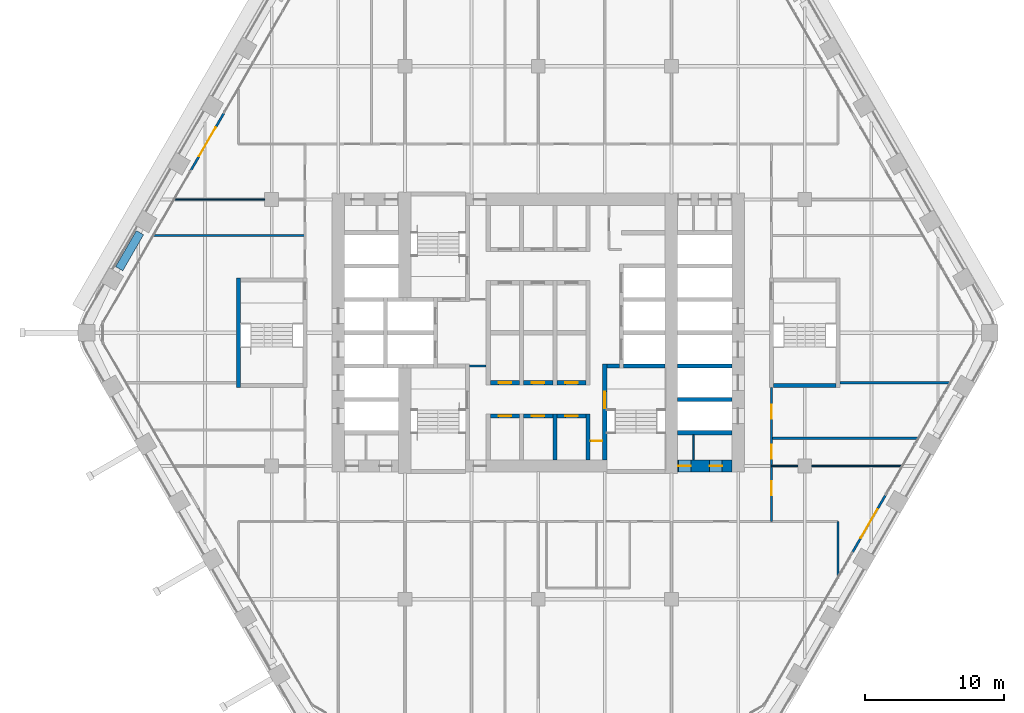
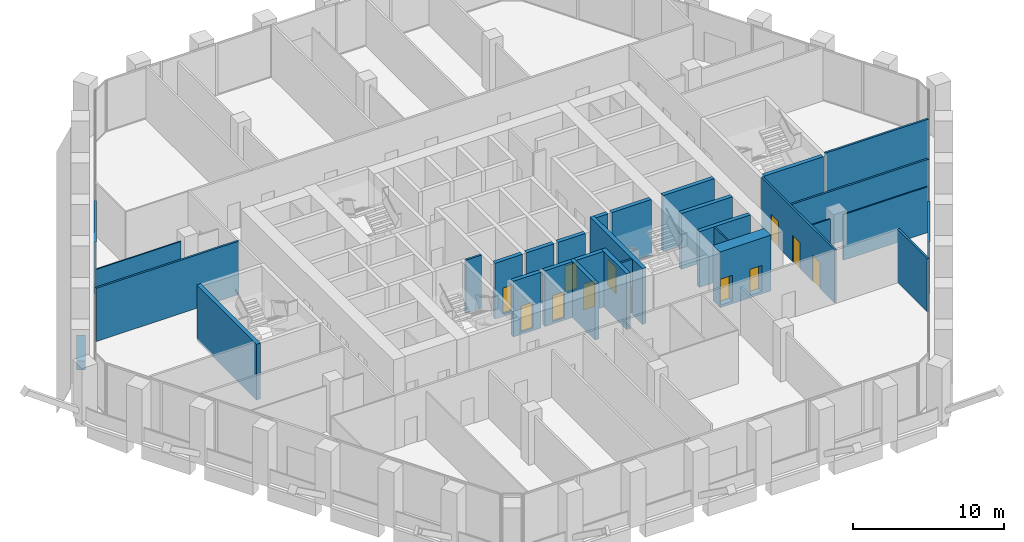
# One storey, part 16 of 26: 31 walls, 15 doors, 15 openings.
"""IFC4 building model written with IfcOpenShell, lengths in metres."""

from ifc_helpers import new_model, si_unit, direction, frame, frame_2d, origin, place, context, subcontext, project, spatial, rectangle, extrude, material, layer, layer_set, type_object, element, fill, save


model = new_model("IFC4")

# Units and contexts
model_context = context("Model", 3, precision=1e-05, world=origin(), true_north=direction((0.0, 1.0)))
body_context = subcontext(model_context, "Body", "Model", "MODEL_VIEW")
ifc_project = project(units=[si_unit("LENGTHUNIT", "METRE"), si_unit("AREAUNIT", "SQUARE_METRE"), si_unit("VOLUMEUNIT", "CUBIC_METRE"), si_unit("PLANEANGLEUNIT", "RADIAN"), si_unit("MASSUNIT", "GRAM", prefix="KILO")], contexts=[model_context])

# Site, building, storey
site_placement = place(None, origin())
site = spatial("IfcSite", under=ifc_project, at=site_placement, CompositionType="ELEMENT")
building_placement = place(site_placement, origin())
building = spatial("IfcBuilding", under=site, at=building_placement, Name="Kolab Exchange Tower", CompositionType="ELEMENT")
storey_placement = place(building_placement, frame((0.0, 0.0, 104.89990234375)))
storey = spatial("IfcBuildingStorey", under=building, at=storey_placement, Name="L20", CompositionType="ELEMENT", Elevation=104.89990234375)

# Wall, openings, doors
ifc_material_1 = material(Name="Concrete C70/85", Category="concrete")
ifc_layer_1 = layer(ifc_material_1, 0.89990234375)
ifc_layer_set_1 = layer_set([ifc_layer_1], Name="Concrete C70/85")
wall_type_1 = type_object("IfcWallType", Name="CORE WALL 900 C70/85", PredefinedType="SHEAR", material=ifc_layer_set_1)
wall_1_placement = place(storey_placement, frame((10.050048828125, -9.60009765625, -0.199951171875), z_axis=(0.0, 0.0, 1.0), x_axis=(1.0, 0.0, 0.0)))
wall_1 = element("IfcWall", 1, at=wall_1_placement, inside=storey, type_object=wall_type_1, Name="wall/L20/core/004", PredefinedType="SHEAR", context=body_context, shape_type="SweptSolid", body=[
    extrude(rectangle(XDim=3.89990234375, YDim=0.89990234375, at=frame_2d((1.949951171875, 0.0))), origin(), (0.0, 0.0, 1.0), 4.5),
])
opening_1_placement = place(wall_1_placement, frame((0.050048828125, 0.0, 0.199951171875)))
opening_1 = element("IfcOpeningElement", 2, at=opening_1_placement, cuts=wall_1, Name="Opening D6-219", PredefinedType="OPENING", context=body_context, shape_type="SweptSolid", body=[
    extrude(rectangle(XDim=0.89990234375, YDim=2.10009765625, at=frame_2d((0.449951171875, 1.050048828125))), frame((0.0, 0.4599609375, 0.0), z_axis=(0.0, -1.0, 0.0), x_axis=(1.0, 0.0, 0.0)), (0.0, 0.0, 1.0), 0.919921875),
])
opening_2_placement = place(wall_1_placement, frame((2.300048828125, 0.0, 0.199951171875)))
opening_2 = element("IfcOpeningElement", 3, at=opening_2_placement, cuts=wall_1, Name="Opening D6-220", PredefinedType="OPENING", context=body_context, shape_type="SweptSolid", body=[
    extrude(rectangle(XDim=0.89990234375, YDim=2.10009765625, at=frame_2d((0.449951171875, 1.050048828125))), frame((0.0, 0.4599609375, 0.0), z_axis=(0.0, -1.0, 0.0), x_axis=(1.0, 0.0, 0.0)), (0.0, 0.0, 1.0), 0.919921875),
])
ifc_material_2 = material(Name="Steel S235", Category="steel")
door_type_1 = type_object("IfcDoorType", Name="CORE DOOR 900 EI 120", OperationType="SINGLE_SWING_LEFT", PredefinedType="DOOR", material=ifc_material_2)
door_1_placement = place(opening_1_placement, origin())
door_1 = element("IfcDoor", 4, at=door_1_placement, inside=storey, type_object=door_type_1, Name="Service room door", OperationType="SINGLE_SWING_RIGHT", OverallHeight=2.10009765625, OverallWidth=0.89990234375, PredefinedType="DOOR", context=body_context, shape_type="SweptSolid", body=[
    extrude(rectangle(XDim=0.89990234375, YDim=2.10009765625, at=frame_2d((0.449951171875, 1.050048828125))), frame((0.0, 0.02490234375, 0.0), z_axis=(0.0, -1.0, 0.0), x_axis=(1.0, 0.0, 0.0)), (0.0, 0.0, 1.0), 0.050048828125),
])
fill(opening_1, door_1)
door_2_placement = place(opening_2_placement, origin())
door_2 = element("IfcDoor", 5, at=door_2_placement, inside=storey, type_object=door_type_1, Name="Service room door", OperationType="SINGLE_SWING_RIGHT", OverallHeight=2.10009765625, OverallWidth=0.89990234375, PredefinedType="DOOR", context=body_context, shape_type="SweptSolid", body=[
    extrude(rectangle(XDim=0.89990234375, YDim=2.10009765625, at=frame_2d((0.449951171875, 1.050048828125))), frame((0.0, 0.02490234375, 0.0), z_axis=(0.0, -1.0, 0.0), x_axis=(1.0, 0.0, 0.0)), (0.0, 0.0, 1.0), 0.050048828125),
])
fill(opening_2, door_2)

# Wall, opening, door
ifc_material_3 = material(Name="Aluminium EN AW-6063 T6", Category="aluminium")
ifc_layer_2 = layer(ifc_material_3, 0.159912109375)
ifc_layer_set_2 = layer_set([ifc_layer_2], Name="Aluminium EN AW-6063 T6")
wall_type_2 = type_object("IfcWallType", Name="DOOR SURROUND WALL 160 ALUMINIUM FRAMED", PredefinedType="PARTITIONING", material=ifc_layer_set_2)
wall_2_placement = place(storey_placement, frame((25.0166015625, -11.706787109375, 0.0), z_axis=(0.0, 0.0, 1.0), x_axis=(-0.499978080042, -0.866038058908, 0.0)))
wall_2 = element("IfcWall", 6, at=wall_2_placement, inside=storey, type_object=wall_type_2, Name="Door surround wall", PredefinedType="PARTITIONING", context=body_context, shape_type="SweptSolid", body=[
    extrude(rectangle(XDim=4.739990234375, YDim=0.159912109375, at=frame_2d((2.3701171875, 0.0))), origin(), (0.0, 0.0, 1.0), 4.2001953125),
])
opening_3_placement = place(wall_2_placement, frame((1.169921875, 0.0, 0.0)))
opening_3 = element("IfcOpeningElement", 7, at=opening_3_placement, cuts=wall_2, Name="Opening GD1-045", PredefinedType="OPENING", context=body_context, shape_type="SweptSolid", body=[
    extrude(rectangle(XDim=2.39990234375, YDim=2.39990234375, at=frame_2d((1.199951171875, 1.199951171875))), frame((0.0, 0.08984375, 0.0), z_axis=(0.0, -1.0, 0.0), x_axis=(1.0, 0.0, 0.0)), (0.0, 0.0, 1.0), 0.179931640625),
])
door_type_2 = type_object("IfcDoorType", Name="LOGGIA SLIDING GLASS DOOR 2400 X 2400", OperationType="DOUBLE_DOOR_SINGLE_SWING", PredefinedType="DOOR", material=ifc_material_3)
door_3_placement = place(opening_3_placement, origin())
door_3 = element("IfcDoor", 8, at=door_3_placement, inside=storey, type_object=door_type_2, Name="Loggia door", OperationType="DOUBLE_DOOR_SLIDING", OverallHeight=2.39990234375, OverallWidth=2.39990234375, PredefinedType="DOOR", context=body_context, shape_type="SweptSolid", body=[
    extrude(rectangle(XDim=2.39990234375, YDim=2.39990234375, at=frame_2d((1.199951171875, 1.199951171875))), frame((0.0, 0.02490234375, 0.0), z_axis=(0.0, -1.0, 0.0), x_axis=(1.0, 0.0, 0.0)), (0.0, 0.0, 1.0), 0.050048828125),
])
fill(opening_3, door_3)

wall_3_placement = place(storey_placement, frame((-25.0166015625, 11.706787109375, 0.0), z_axis=(0.0, 0.0, 1.0), x_axis=(0.499978080042, 0.866038058908, 0.0)))
wall_3 = element("IfcWall", 9, at=wall_3_placement, inside=storey, type_object=wall_type_2, Name="Door surround wall", PredefinedType="PARTITIONING", context=body_context, shape_type="SweptSolid", body=[
    extrude(rectangle(XDim=4.739990234375, YDim=0.159912109375, at=frame_2d((2.3701171875, 0.0))), origin(), (0.0, 0.0, 1.0), 4.2001953125),
])
opening_4_placement = place(wall_3_placement, frame((1.169921875, 0.0, 0.0)))
opening_4 = element("IfcOpeningElement", 10, at=opening_4_placement, cuts=wall_3, Name="Opening GD1-048", PredefinedType="OPENING", context=body_context, shape_type="SweptSolid", body=[
    extrude(rectangle(XDim=2.39990234375, YDim=2.39990234375, at=frame_2d((1.199951171875, 1.199951171875))), frame((0.0, 0.08984375, 0.0), z_axis=(0.0, -1.0, 0.0), x_axis=(1.0, 0.0, 0.0)), (0.0, 0.0, 1.0), 0.179931640625),
])
door_4_placement = place(opening_4_placement, origin())
door_4 = element("IfcDoor", 11, at=door_4_placement, inside=storey, type_object=door_type_2, Name="Loggia door", OperationType="DOUBLE_DOOR_SLIDING", OverallHeight=2.39990234375, OverallWidth=2.39990234375, PredefinedType="DOOR", context=body_context, shape_type="SweptSolid", body=[
    extrude(rectangle(XDim=2.39990234375, YDim=2.39990234375, at=frame_2d((1.199951171875, 1.199951171875))), frame((0.0, 0.02490234375, 0.0), z_axis=(0.0, -1.0, 0.0), x_axis=(1.0, 0.0, 0.0)), (0.0, 0.0, 1.0), 0.050048828125),
])
fill(opening_4, door_4)

# Wall
ifc_material_4 = material(Name="Concrete C50/60", Category="concrete")
ifc_layer_3 = layer(ifc_material_4, 0.300048828125)
ifc_layer_set_3 = layer_set([ifc_layer_3], Name="Concrete C50/60")
wall_type_3 = type_object("IfcWallType", Name="LIFT SHAFT WALL 300 C50/60", PredefinedType="STANDARD", material=ifc_layer_set_3)
wall_4_placement = place(storey_placement, frame((10.050048828125, -7.199951171875, -0.199951171875), z_axis=(0.0, 0.0, 1.0), x_axis=(1.0, 0.0, 0.0)))
element("IfcWall", 12, at=wall_4_placement, inside=storey, type_object=wall_type_3, Name="wall/L20/core/006", PredefinedType="STANDARD", context=body_context, shape_type="SweptSolid", body=[
    extrude(rectangle(XDim=3.89990234375, YDim=0.300048828125, at=frame_2d((1.949951171875, 0.0))), origin(), (0.0, 0.0, 1.0), 4.5),
])

# Wall, opening, door
wall_5_placement = place(storey_placement, frame((-3.449951171875, -6.0, -0.199951171875), z_axis=(0.0, 0.0, 1.0), x_axis=(1.0, 0.0, 0.0)))
wall_5 = element("IfcWall", 13, at=wall_5_placement, inside=storey, type_object=wall_type_3, Name="wall/L20/core/007", PredefinedType="STANDARD", context=body_context, shape_type="SweptSolid", body=[
    extrude(rectangle(XDim=2.099853515625, YDim=0.300048828125, at=frame_2d((1.0498046875, 0.0))), origin(), (0.0, 0.0, 1.0), 4.5),
])
opening_5_placement = place(wall_5_placement, frame((0.60009765625, 0.0, 0.199951171875)))
opening_5 = element("IfcOpeningElement", 14, at=opening_5_placement, cuts=wall_5, Name="Opening D6-202", PredefinedType="OPENING", context=body_context, shape_type="SweptSolid", body=[
    extrude(rectangle(XDim=0.89990234375, YDim=2.10009765625, at=frame_2d((0.449951171875, 1.050048828125))), frame((0.0, 0.16015625, 0.0), z_axis=(0.0, -1.0, 0.0), x_axis=(1.0, 0.0, 0.0)), (0.0, 0.0, 1.0), 0.320068359375),
])
door_5_placement = place(opening_5_placement, frame((0.89990234375, 0.0, 0.0), z_axis=(0.0, 0.0, 1.0), x_axis=(-1.0, 0.0, 0.0)))
door_5 = element("IfcDoor", 15, at=door_5_placement, inside=storey, type_object=door_type_1, Name="Service room door", OperationType="SINGLE_SWING_LEFT", OverallHeight=2.10009765625, OverallWidth=0.89990234375, PredefinedType="DOOR", context=body_context, shape_type="SweptSolid", body=[
    extrude(rectangle(XDim=0.89990234375, YDim=2.10009765625, at=frame_2d((0.449951171875, 1.050048828125))), frame((0.0, 0.02490234375, 0.0), z_axis=(0.0, -1.0, 0.0), x_axis=(1.0, 0.0, 0.0)), (0.0, 0.0, 1.0), 0.050048828125),
])
fill(opening_5, door_5)

wall_6_placement = place(storey_placement, frame((-1.050048828125, -6.0, -0.199951171875), z_axis=(0.0, 0.0, 1.0), x_axis=(1.0, 0.0, 0.0)))
wall_6 = element("IfcWall", 16, at=wall_6_placement, inside=storey, type_object=wall_type_3, Name="wall/L20/core/008", PredefinedType="STANDARD", context=body_context, shape_type="SweptSolid", body=[
    extrude(rectangle(XDim=2.10009765625, YDim=0.300048828125, at=frame_2d((1.050048828125, 0.0))), origin(), (0.0, 0.0, 1.0), 4.5),
])
opening_6_placement = place(wall_6_placement, frame((0.60009765625, 0.0, 0.199951171875)))
opening_6 = element("IfcOpeningElement", 17, at=opening_6_placement, cuts=wall_6, Name="Opening D6-224", PredefinedType="OPENING", context=body_context, shape_type="SweptSolid", body=[
    extrude(rectangle(XDim=0.89990234375, YDim=2.10009765625, at=frame_2d((0.449951171875, 1.050048828125))), frame((0.0, 0.16015625, 0.0), z_axis=(0.0, -1.0, 0.0), x_axis=(1.0, 0.0, 0.0)), (0.0, 0.0, 1.0), 0.320068359375),
])
door_6_placement = place(opening_6_placement, frame((0.89990234375, 0.0, 0.0), z_axis=(0.0, 0.0, 1.0), x_axis=(-1.0, 0.0, 0.0)))
door_6 = element("IfcDoor", 18, at=door_6_placement, inside=storey, type_object=door_type_1, Name="Service room door", OperationType="SINGLE_SWING_RIGHT", OverallHeight=2.10009765625, OverallWidth=0.89990234375, PredefinedType="DOOR", context=body_context, shape_type="SweptSolid", body=[
    extrude(rectangle(XDim=0.89990234375, YDim=2.10009765625, at=frame_2d((0.449951171875, 1.050048828125))), frame((0.0, 0.02490234375, 0.0), z_axis=(0.0, -1.0, 0.0), x_axis=(1.0, 0.0, 0.0)), (0.0, 0.0, 1.0), 0.050048828125),
])
fill(opening_6, door_6)

wall_7_placement = place(storey_placement, frame((1.35009765625, -6.0, -0.199951171875), z_axis=(0.0, 0.0, 1.0), x_axis=(1.0, 0.0, 0.0)))
wall_7 = element("IfcWall", 19, at=wall_7_placement, inside=storey, type_object=wall_type_3, Name="wall/L20/core/009", PredefinedType="STANDARD", context=body_context, shape_type="SweptSolid", body=[
    extrude(rectangle(XDim=2.099853515625, YDim=0.300048828125, at=frame_2d((1.0498046875, 0.0))), origin(), (0.0, 0.0, 1.0), 4.5),
])
opening_7_placement = place(wall_7_placement, frame((0.60009765625, 0.0, 0.199951171875)))
opening_7 = element("IfcOpeningElement", 20, at=opening_7_placement, cuts=wall_7, Name="Opening D6-200", PredefinedType="OPENING", context=body_context, shape_type="SweptSolid", body=[
    extrude(rectangle(XDim=0.89990234375, YDim=2.10009765625, at=frame_2d((0.449951171875, 1.050048828125))), frame((0.0, 0.16015625, 0.0), z_axis=(0.0, -1.0, 0.0), x_axis=(1.0, 0.0, 0.0)), (0.0, 0.0, 1.0), 0.320068359375),
])
door_7_placement = place(opening_7_placement, frame((0.89990234375, 0.0, 0.0), z_axis=(0.0, 0.0, 1.0), x_axis=(-1.0, 0.0, 0.0)))
door_7 = element("IfcDoor", 21, at=door_7_placement, inside=storey, type_object=door_type_1, Name="Service room door", OperationType="SINGLE_SWING_RIGHT", OverallHeight=2.10009765625, OverallWidth=0.89990234375, PredefinedType="DOOR", context=body_context, shape_type="SweptSolid", body=[
    extrude(rectangle(XDim=0.89990234375, YDim=2.10009765625, at=frame_2d((0.449951171875, 1.050048828125))), frame((0.0, 0.02490234375, 0.0), z_axis=(0.0, -1.0, 0.0), x_axis=(1.0, 0.0, 0.0)), (0.0, 0.0, 1.0), 0.050048828125),
])
fill(opening_7, door_7)

# Wall
wall_8_placement = place(storey_placement, frame((10.050048828125, -4.800048828125, -0.199951171875), z_axis=(0.0, 0.0, 1.0), x_axis=(1.0, 0.0, 0.0)))
element("IfcWall", 22, at=wall_8_placement, inside=storey, type_object=wall_type_3, Name="wall/L20/core/011", PredefinedType="STANDARD", context=body_context, shape_type="SweptSolid", body=[
    extrude(rectangle(XDim=3.89990234375, YDim=0.300048828125, at=frame_2d((1.949951171875, 0.0))), origin(), (0.0, 0.0, 1.0), 4.5),
])

# Wall, opening, door
wall_9_placement = place(storey_placement, frame((-3.449951171875, -3.60009765625, -0.199951171875), z_axis=(0.0, 0.0, 1.0), x_axis=(1.0, 0.0, 0.0)))
wall_9 = element("IfcWall", 23, at=wall_9_placement, inside=storey, type_object=wall_type_3, Name="wall/L20/core/014", PredefinedType="STANDARD", context=body_context, shape_type="SweptSolid", body=[
    extrude(rectangle(XDim=2.099853515625, YDim=0.300048828125, at=frame_2d((1.0498046875, 0.0))), origin(), (0.0, 0.0, 1.0), 4.5),
])
opening_8_placement = place(wall_9_placement, frame((0.60009765625, 0.0, 0.199951171875)))
opening_8 = element("IfcOpeningElement", 24, at=opening_8_placement, cuts=wall_9, Name="Opening D6-199", PredefinedType="OPENING", context=body_context, shape_type="SweptSolid", body=[
    extrude(rectangle(XDim=0.89990234375, YDim=2.10009765625, at=frame_2d((0.449951171875, 1.050048828125))), frame((0.0, 0.16015625, 0.0), z_axis=(0.0, -1.0, 0.0), x_axis=(1.0, 0.0, 0.0)), (0.0, 0.0, 1.0), 0.320068359375),
])
door_8_placement = place(opening_8_placement, origin())
door_8 = element("IfcDoor", 25, at=door_8_placement, inside=storey, type_object=door_type_1, Name="Service room door", OperationType="SINGLE_SWING_LEFT", OverallHeight=2.10009765625, OverallWidth=0.89990234375, PredefinedType="DOOR", context=body_context, shape_type="SweptSolid", body=[
    extrude(rectangle(XDim=0.89990234375, YDim=2.10009765625, at=frame_2d((0.449951171875, 1.050048828125))), frame((0.0, 0.02490234375, 0.0), z_axis=(0.0, -1.0, 0.0), x_axis=(1.0, 0.0, 0.0)), (0.0, 0.0, 1.0), 0.050048828125),
])
fill(opening_8, door_8)

wall_10_placement = place(storey_placement, frame((-1.050048828125, -3.60009765625, -0.199951171875), z_axis=(0.0, 0.0, 1.0), x_axis=(1.0, 0.0, 0.0)))
wall_10 = element("IfcWall", 26, at=wall_10_placement, inside=storey, type_object=wall_type_3, Name="wall/L20/core/015", PredefinedType="STANDARD", context=body_context, shape_type="SweptSolid", body=[
    extrude(rectangle(XDim=2.10009765625, YDim=0.300048828125, at=frame_2d((1.050048828125, 0.0))), origin(), (0.0, 0.0, 1.0), 4.5),
])
opening_9_placement = place(wall_10_placement, frame((0.60009765625, 0.0, 0.199951171875)))
opening_9 = element("IfcOpeningElement", 27, at=opening_9_placement, cuts=wall_10, Name="Opening D6-215", PredefinedType="OPENING", context=body_context, shape_type="SweptSolid", body=[
    extrude(rectangle(XDim=0.89990234375, YDim=2.10009765625, at=frame_2d((0.449951171875, 1.050048828125))), frame((0.0, 0.16015625, 0.0), z_axis=(0.0, -1.0, 0.0), x_axis=(1.0, 0.0, 0.0)), (0.0, 0.0, 1.0), 0.320068359375),
])
door_9_placement = place(opening_9_placement, origin())
door_9 = element("IfcDoor", 28, at=door_9_placement, inside=storey, type_object=door_type_1, Name="Service room door", OperationType="SINGLE_SWING_LEFT", OverallHeight=2.10009765625, OverallWidth=0.89990234375, PredefinedType="DOOR", context=body_context, shape_type="SweptSolid", body=[
    extrude(rectangle(XDim=0.89990234375, YDim=2.10009765625, at=frame_2d((0.449951171875, 1.050048828125))), frame((0.0, 0.02490234375, 0.0), z_axis=(0.0, -1.0, 0.0), x_axis=(1.0, 0.0, 0.0)), (0.0, 0.0, 1.0), 0.050048828125),
])
fill(opening_9, door_9)

wall_11_placement = place(storey_placement, frame((1.35009765625, -3.60009765625, -0.199951171875), z_axis=(0.0, 0.0, 1.0), x_axis=(1.0, 0.0, 0.0)))
wall_11 = element("IfcWall", 29, at=wall_11_placement, inside=storey, type_object=wall_type_3, Name="wall/L20/core/016", PredefinedType="STANDARD", context=body_context, shape_type="SweptSolid", body=[
    extrude(rectangle(XDim=2.099853515625, YDim=0.300048828125, at=frame_2d((1.0498046875, 0.0))), origin(), (0.0, 0.0, 1.0), 4.5),
])
opening_10_placement = place(wall_11_placement, frame((0.60009765625, 0.0, 0.199951171875)))
opening_10 = element("IfcOpeningElement", 30, at=opening_10_placement, cuts=wall_11, Name="Opening D6-197", PredefinedType="OPENING", context=body_context, shape_type="SweptSolid", body=[
    extrude(rectangle(XDim=0.89990234375, YDim=2.10009765625, at=frame_2d((0.449951171875, 1.050048828125))), frame((0.0, 0.16015625, 0.0), z_axis=(0.0, -1.0, 0.0), x_axis=(1.0, 0.0, 0.0)), (0.0, 0.0, 1.0), 0.320068359375),
])
door_10_placement = place(opening_10_placement, origin())
door_10 = element("IfcDoor", 31, at=door_10_placement, inside=storey, type_object=door_type_1, Name="Service room door", OperationType="SINGLE_SWING_RIGHT", OverallHeight=2.10009765625, OverallWidth=0.89990234375, PredefinedType="DOOR", context=body_context, shape_type="SweptSolid", body=[
    extrude(rectangle(XDim=0.89990234375, YDim=2.10009765625, at=frame_2d((0.449951171875, 1.050048828125))), frame((0.0, 0.02490234375, 0.0), z_axis=(0.0, -1.0, 0.0), x_axis=(1.0, 0.0, 0.0)), (0.0, 0.0, 1.0), 0.050048828125),
])
fill(opening_10, door_10)

# Walls
wall_12_placement = place(storey_placement, frame((10.050048828125, -2.39990234375, -0.199951171875), z_axis=(0.0, 0.0, 1.0), x_axis=(1.0, 0.0, 0.0)))
element("IfcWall", 32, at=wall_12_placement, inside=storey, type_object=wall_type_3, Name="wall/L20/core/023", PredefinedType="STANDARD", context=body_context, shape_type="SweptSolid", body=[
    extrude(rectangle(XDim=3.89990234375, YDim=0.300048828125, at=frame_2d((1.949951171875, 0.0))), origin(), (0.0, 0.0, 1.0), 4.5),
])
for number, where, z_axis, x_axis, name in (
    (33, (1.199951171875, -9.14990234375, -0.199951171875), (0.0, 0.0, 1.0), (0.0, 1.0, 0.0), "wall/L20/core/072"),
    (34, (3.60009765625, -9.14990234375, -0.199951171875), (0.0, 0.0, 1.0), (0.0, 1.0, 0.0), "wall/L20/core/075"),
):
    element("IfcWall", number, at=place(storey_placement, frame(where, z_axis=z_axis, x_axis=x_axis)), inside=storey, type_object=wall_type_3, Name=name, PredefinedType="STANDARD", context=body_context, shape_type="SweptSolid", body=[
        extrude(rectangle(XDim=3.2998046875, YDim=0.300048828125, at=frame_2d((1.64990234375, 0.0))), origin(), (0.0, 0.0, 1.0), 4.5),
    ])
ifc_material_5 = material(Name="Gypsum board", Category="gypsum")
ifc_layer_4 = layer(ifc_material_5, 0.10009765625)
ifc_layer_set_4 = layer_set([ifc_layer_4], Name="Gypsum board")
wall_type_4 = type_object("IfcWallType", Name="PARTITION 100", PredefinedType="PARTITIONING", material=ifc_layer_set_4)
wall_13_placement = place(storey_placement, frame((11.199951171875, -9.14990234375, 0.0), z_axis=(0.0, 0.0, 1.0), x_axis=(0.0, 1.0, 0.0)))
element("IfcWall", 35, at=wall_13_placement, inside=storey, type_object=wall_type_4, Name="Partition 005", PredefinedType="PARTITIONING", context=body_context, shape_type="SweptSolid", body=[
    extrude(rectangle(XDim=1.7998046875, YDim=0.10009765625, at=frame_2d((0.89990234375, 0.0))), origin(), (0.0, 0.0, 1.0), 4.300048828125),
])
wall_14_placement = place(storey_placement, frame((16.800048828125, -9.60009765625, 0.0), z_axis=(0.0, 0.0, 1.0), x_axis=(1.0, 0.0, 0.0)))
element("IfcWall", 36, at=wall_14_placement, inside=storey, type_object=wall_type_4, Name="Partition 040", PredefinedType="PARTITIONING", context=body_context, shape_type="SweptSolid", body=[
    extrude(rectangle(XDim=1.89990234375, YDim=0.10009765625, at=frame_2d((0.949951171875, 0.0))), origin(), (0.0, 0.0, 1.0), 3.692138671875),
])
for number, where, z_axis, x_axis, name in (
    (37, (19.699951171875, -9.60009765625, 0.0), (0.0, 0.0, 1.0), (1.0, 0.0, 0.0), "Partition 041"),
    (38, (-26.186767578125, 9.60009765625, 0.0), (0.0, 0.0, 1.0), (1.0, 0.0, 0.0), "Partition 050"),
):
    element("IfcWall", number, at=place(storey_placement, frame(where, z_axis=z_axis, x_axis=x_axis)), inside=storey, type_object=wall_type_4, Name=name, PredefinedType="PARTITIONING", context=body_context, shape_type="SweptSolid", body=[
        extrude(rectangle(XDim=6.48681640625, YDim=0.10009765625, at=frame_2d((3.243408203125, 0.0))), origin(), (0.0, 0.0, 1.0), 3.692138671875),
    ])
ifc_layer_5 = layer(ifc_material_5, 0.14990234375)
ifc_layer_set_5 = layer_set([ifc_layer_5], Name="Gypsum board")
wall_type_5 = type_object("IfcWallType", Name="PARTITION 150 FIRE-RATED", PredefinedType="PARTITIONING", material=ifc_layer_set_5)
wall_15_placement = place(storey_placement, frame((21.60009765625, -17.544677734375, 0.0), z_axis=(0.0, 0.0, 1.0), x_axis=(0.0, 1.0, 0.0)))
element("IfcWall", 39, at=wall_15_placement, inside=storey, type_object=wall_type_5, Name="Partition 000", PredefinedType="PARTITIONING", context=body_context, shape_type="SweptSolid", body=[
    extrude(rectangle(XDim=3.944580078125, YDim=0.14990234375, at=frame_2d((1.97216796875, 0.0))), origin(), (0.0, 0.0, 1.0), 4.300048828125),
])

# Wall, openings, doors
wall_16_placement = place(storey_placement, frame((16.800048828125, -13.60009765625, 0.0), z_axis=(0.0, 0.0, 1.0), x_axis=(0.0, 1.0, 0.0)))
wall_16 = element("IfcWall", 40, at=wall_16_placement, inside=storey, type_object=wall_type_5, Name="Partition 002", PredefinedType="PARTITIONING", context=body_context, shape_type="SweptSolid", body=[
    extrude(rectangle(XDim=9.650146484375, YDim=0.14990234375, at=frame_2d((4.8251953125, 0.0))), origin(), (0.0, 0.0, 1.0), 4.300048828125),
])
opening_11_placement = place(wall_16_placement, frame((1.89501953125, 0.0, 0.0)))
opening_11 = element("IfcOpeningElement", 41, at=opening_11_placement, cuts=wall_16, Name="Opening D1-270", PredefinedType="OPENING", context=body_context, shape_type="SweptSolid", body=[
    extrude(rectangle(XDim=1.0, YDim=2.10009765625, at=frame_2d((0.5, 1.050048828125))), frame((0.0, 0.0849609375, 0.0), z_axis=(0.0, -1.0, 0.0), x_axis=(1.0, 0.0, 0.0)), (0.0, 0.0, 1.0), 0.169921875),
])
opening_12_placement = place(wall_16_placement, frame((4.514892578125, 0.0, 0.0)))
opening_12 = element("IfcOpeningElement", 42, at=opening_12_placement, cuts=wall_16, Name="Opening D1-271", PredefinedType="OPENING", context=body_context, shape_type="SweptSolid", body=[
    extrude(rectangle(XDim=1.0, YDim=2.10009765625, at=frame_2d((0.5, 1.050048828125))), frame((0.0, 0.0849609375, 0.0), z_axis=(0.0, -1.0, 0.0), x_axis=(1.0, 0.0, 0.0)), (0.0, 0.0, 1.0), 0.169921875),
])
opening_13_placement = place(wall_16_placement, frame((7.39990234375, 0.0, 0.0)))
opening_13 = element("IfcOpeningElement", 43, at=opening_13_placement, cuts=wall_16, Name="Opening D1-272", PredefinedType="OPENING", context=body_context, shape_type="SweptSolid", body=[
    extrude(rectangle(XDim=1.0, YDim=2.10009765625, at=frame_2d((0.5, 1.050048828125))), frame((0.0, 0.0849609375, 0.0), z_axis=(0.0, -1.0, 0.0), x_axis=(1.0, 0.0, 0.0)), (0.0, 0.0, 1.0), 0.169921875),
])
door_type_3 = type_object("IfcDoorType", Name="FLUSH DOOR 1000 FD60", OperationType="SINGLE_SWING_LEFT", PredefinedType="DOOR", material=ifc_material_2)
door_11_placement = place(opening_11_placement, frame((1.0, 0.0, 0.0), z_axis=(0.0, 0.0, 1.0), x_axis=(-1.0, 0.0, 0.0)))
door_11 = element("IfcDoor", 44, at=door_11_placement, inside=storey, type_object=door_type_3, Name="Door L20-064", OperationType="SINGLE_SWING_RIGHT", OverallHeight=2.10009765625, OverallWidth=1.0, PredefinedType="DOOR", context=body_context, shape_type="SweptSolid", body=[
    extrude(rectangle(XDim=1.0, YDim=2.10009765625, at=frame_2d((0.5, 1.050048828125))), frame((0.0, 0.02490234375, 0.0), z_axis=(0.0, -1.0, 0.0), x_axis=(1.0, 0.0, 0.0)), (0.0, 0.0, 1.0), 0.050048828125),
])
fill(opening_11, door_11)
door_12_placement = place(opening_12_placement, frame((1.0, 0.0, 0.0), z_axis=(0.0, 0.0, 1.0), x_axis=(-1.0, 0.0, 0.0)))
door_12 = element("IfcDoor", 45, at=door_12_placement, inside=storey, type_object=door_type_3, Name="Door L20-065", OperationType="SINGLE_SWING_RIGHT", OverallHeight=2.10009765625, OverallWidth=1.0, PredefinedType="DOOR", context=body_context, shape_type="SweptSolid", body=[
    extrude(rectangle(XDim=1.0, YDim=2.10009765625, at=frame_2d((0.5, 1.050048828125))), frame((0.0, 0.02490234375, 0.0), z_axis=(0.0, -1.0, 0.0), x_axis=(1.0, 0.0, 0.0)), (0.0, 0.0, 1.0), 0.050048828125),
])
fill(opening_12, door_12)
door_13_placement = place(opening_13_placement, frame((1.0, 0.0, 0.0), z_axis=(0.0, 0.0, 1.0), x_axis=(-1.0, 0.0, 0.0)))
door_13 = element("IfcDoor", 46, at=door_13_placement, inside=storey, type_object=door_type_3, Name="Door L20-066", OperationType="SINGLE_SWING_RIGHT", OverallHeight=2.10009765625, OverallWidth=1.0, PredefinedType="DOOR", context=body_context, shape_type="SweptSolid", body=[
    extrude(rectangle(XDim=1.0, YDim=2.10009765625, at=frame_2d((0.5, 1.050048828125))), frame((0.0, 0.02490234375, 0.0), z_axis=(0.0, -1.0, 0.0), x_axis=(1.0, 0.0, 0.0)), (0.0, 0.0, 1.0), 0.050048828125),
])
fill(opening_13, door_13)

# Wall, opening, door
wall_17_placement = place(storey_placement, frame((3.75, -7.800048828125, 0.0), z_axis=(0.0, 0.0, 1.0), x_axis=(1.0, 0.0, 0.0)))
wall_17 = element("IfcWall", 47, at=wall_17_placement, inside=storey, type_object=wall_type_5, Name="Partition 042", PredefinedType="PARTITIONING", context=body_context, shape_type="SweptSolid", body=[
    extrude(rectangle(XDim=0.89990234375, YDim=0.14990234375, at=frame_2d((0.449951171875, 0.0))), origin(), (0.0, 0.0, 1.0), 4.300048828125),
])
opening_14_placement = place(wall_17_placement, frame((0.050048828125, 0.0, 0.0)))
opening_14 = element("IfcOpeningElement", 48, at=opening_14_placement, cuts=wall_17, Name="Opening D7-022", PredefinedType="OPENING", context=body_context, shape_type="SweptSolid", body=[
    extrude(rectangle(XDim=0.800048828125, YDim=2.10009765625, at=frame_2d((0.39990234375, 1.050048828125))), frame((0.0, 0.0849609375, 0.0), z_axis=(0.0, -1.0, 0.0), x_axis=(1.0, 0.0, 0.0)), (0.0, 0.0, 1.0), 0.169921875),
])
door_type_4 = type_object("IfcDoorType", Name="FLUSH DOOR 800 FD60", OperationType="SINGLE_SWING_LEFT", PredefinedType="DOOR", material=ifc_material_2)
door_14_placement = place(opening_14_placement, frame((0.800048828125, 0.0, 0.0), z_axis=(0.0, 0.0, 1.0), x_axis=(-1.0, 0.0, 0.0)))
door_14 = element("IfcDoor", 49, at=door_14_placement, inside=storey, type_object=door_type_4, Name="Door L20-043", OperationType="SINGLE_SWING_RIGHT", OverallHeight=2.10009765625, OverallWidth=0.800048828125, PredefinedType="DOOR", context=body_context, shape_type="SweptSolid", body=[
    extrude(rectangle(XDim=0.800048828125, YDim=2.10009765625, at=frame_2d((0.39990234375, 1.050048828125))), frame((0.0, 0.02490234375, 0.0), z_axis=(0.0, -1.0, 0.0), x_axis=(1.0, 0.0, 0.0)), (0.0, 0.0, 1.0), 0.050048828125),
])
fill(opening_14, door_14)

# Walls
wall_18_placement = place(storey_placement, frame((16.800048828125, -7.60009765625, 0.0), z_axis=(0.0, 0.0, 1.0), x_axis=(1.0, 0.0, 0.0)))
element("IfcWall", 50, at=wall_18_placement, inside=storey, type_object=wall_type_5, Name="Partition 043", PredefinedType="PARTITIONING", context=body_context, shape_type="SweptSolid", body=[
    extrude(rectangle(XDim=10.54150390625, YDim=0.14990234375, at=frame_2d((5.270751953125, 0.0))), origin(), (0.0, 0.0, 1.0), 4.300048828125),
])
wall_19_placement = place(storey_placement, frame((21.75, -3.60009765625, 0.0), z_axis=(0.0, 0.0, 1.0), x_axis=(1.0, 0.0, 0.0)))
element("IfcWall", 51, at=wall_19_placement, inside=storey, type_object=wall_type_5, Name="Partition 046", PredefinedType="PARTITIONING", context=body_context, shape_type="SweptSolid", body=[
    extrude(rectangle(XDim=7.90087890625, YDim=0.14990234375, at=frame_2d((3.950439453125, 0.0))), origin(), (0.0, 0.0, 1.0), 4.300048828125),
])
wall_20_placement = place(storey_placement, frame((-27.68798828125, 7.0, 0.0), z_axis=(0.0, 0.0, 1.0), x_axis=(1.0, 0.0, 0.0)))
element("IfcWall", 52, at=wall_20_placement, inside=storey, type_object=wall_type_5, Name="Partition 048", PredefinedType="PARTITIONING", context=body_context, shape_type="SweptSolid", body=[
    extrude(rectangle(XDim=10.887939453125, YDim=0.14990234375, at=frame_2d((5.44384765625, 0.0))), origin(), (0.0, 0.0, 1.0), 4.300048828125),
])
wall_21_placement = place(storey_placement, frame((-4.949951171875, -2.39990234375, 0.0), z_axis=(0.0, 0.0, 1.0), x_axis=(1.0, 0.0, 0.0)))
element("IfcWall", 53, at=wall_21_placement, inside=storey, type_object=wall_type_5, Name="Fire partition", PredefinedType="PARTITIONING", context=body_context, shape_type="SweptSolid", body=[
    extrude(rectangle(XDim=1.199951171875, YDim=0.14990234375, at=frame_2d((0.60009765625, 0.0))), origin(), (0.0, 0.0, 1.0), 4.300048828125),
])
ifc_material_6 = material(Name="Granite facing", Category="masonry")
ifc_layer_6 = layer(ifc_material_6, 0.0400390625)
ifc_material_7 = material(Name="Concrete C40/50 precast", Category="concrete")
ifc_layer_7 = layer(ifc_material_7, 0.56005859375)
ifc_layer_set_6 = layer_set([ifc_layer_6, ifc_layer_7], Name="Concrete C40/50 precast")
wall_type_6 = type_object("IfcWallType", Name="PLANTER BOX 600 X 700 SOIL DEPTH 550", PredefinedType="USERDEFINED", material=ifc_layer_set_6)
wall_22_placement = place(storey_placement, frame((-30.18701171875, 4.611328125, 0.0), z_axis=(0.0, 0.0, 1.0), x_axis=(0.499990139034, 0.866031096941, 0.0)))
element("IfcWall", 54, at=wall_22_placement, inside=storey, type_object=wall_type_6, Name="Planter", ObjectType="PLANTER", PredefinedType="USERDEFINED", context=body_context, shape_type="SweptSolid", body=[
    extrude(rectangle(XDim=3.0, YDim=0.60009765625, at=frame_2d((1.5, 0.0))), origin(), (0.0, 0.0, 1.0), 0.7001953125),
])
ifc_layer_8 = layer(ifc_material_4, 0.300048828125)
ifc_layer_set_7 = layer_set([ifc_layer_8], Name="Concrete C50/60")
wall_type_7 = type_object("IfcWallType", Name="STAIR ENCLOSURE WALL 300 C50/60", PredefinedType="STANDARD", material=ifc_layer_set_7)
wall_23_placement = place(storey_placement, frame((16.949951171875, -3.800048828125, -0.199951171875), z_axis=(0.0, 0.0, 1.0), x_axis=(1.0, 0.0, 0.0)))
element("IfcWall", 55, at=wall_23_placement, inside=storey, type_object=wall_type_7, Name="wall/L20/core/013", PredefinedType="STANDARD", context=body_context, shape_type="SweptSolid", body=[
    extrude(rectangle(XDim=4.5, YDim=0.300048828125, at=frame_2d((2.25, 0.0))), origin(), (0.0, 0.0, 1.0), 4.5),
])
wall_24_placement = place(storey_placement, frame((4.949951171875, -2.39990234375, -0.199951171875), z_axis=(0.0, 0.0, 1.0), x_axis=(1.0, 0.0, 0.0)))
element("IfcWall", 56, at=wall_24_placement, inside=storey, type_object=wall_type_7, Name="wall/L20/core/021", PredefinedType="STANDARD", context=body_context, shape_type="SweptSolid", body=[
    extrude(rectangle(XDim=0.900146484375, YDim=0.300048828125, at=frame_2d((0.4501953125, 0.0))), origin(), (0.0, 0.0, 1.0), 4.5),
])
wall_25_placement = place(storey_placement, frame((6.14990234375, -2.39990234375, -0.199951171875), z_axis=(0.0, 0.0, 1.0), x_axis=(1.0, 0.0, 0.0)))
element("IfcWall", 57, at=wall_25_placement, inside=storey, type_object=wall_type_7, Name="wall/L20/core/022", PredefinedType="STANDARD", context=body_context, shape_type="SweptSolid", body=[
    extrude(rectangle(XDim=3.0, YDim=0.300048828125, at=frame_2d((1.5, 0.0))), origin(), (0.0, 0.0, 1.0), 4.5),
])
wall_26_placement = place(storey_placement, frame((-21.60009765625, -3.949951171875, -0.199951171875), z_axis=(0.0, 0.0, 1.0), x_axis=(0.0, 1.0, 0.0)))
element("IfcWall", 58, at=wall_26_placement, inside=storey, type_object=wall_type_7, Name="wall/L20/core/055", PredefinedType="STANDARD", context=body_context, shape_type="SweptSolid", body=[
    extrude(rectangle(XDim=7.89990234375, YDim=0.300048828125, at=frame_2d((3.949951171875, 0.0))), origin(), (0.0, 0.0, 1.0), 4.5),
])

# Wall, opening, door
wall_27_placement = place(storey_placement, frame((4.800048828125, -9.14990234375, -0.199951171875), z_axis=(0.0, 0.0, 1.0), x_axis=(0.0, 1.0, 0.0)))
wall_27 = element("IfcWall", 59, at=wall_27_placement, inside=storey, type_object=wall_type_7, Name="wall/L20/core/078", PredefinedType="STANDARD", context=body_context, shape_type="SweptSolid", body=[
    extrude(rectangle(XDim=6.89990234375, YDim=0.300048828125, at=frame_2d((3.449951171875, 0.0))), origin(), (0.0, 0.0, 1.0), 4.5),
])
opening_15_placement = place(wall_27_placement, frame((3.699951171875, 0.0, 0.199951171875)))
opening_15 = element("IfcOpeningElement", 60, at=opening_15_placement, cuts=wall_27, Name="Opening D4-045", PredefinedType="OPENING", context=body_context, shape_type="SweptSolid", body=[
    extrude(rectangle(XDim=1.199951171875, YDim=2.10009765625, at=frame_2d((0.60009765625, 1.050048828125))), frame((0.0, 0.16015625, 0.0), z_axis=(0.0, -1.0, 0.0), x_axis=(1.0, 0.0, 0.0)), (0.0, 0.0, 1.0), 0.320068359375),
])
door_type_5 = type_object("IfcDoorType", Name="STAIR DOOR 1200 EI 120", OperationType="SINGLE_SWING_LEFT", PredefinedType="DOOR", material=ifc_material_2)
door_15_placement = place(opening_15_placement, frame((1.199951171875, 0.0, 0.0), z_axis=(0.0, 0.0, 1.0), x_axis=(-1.0, 0.0, 0.0)))
door_15 = element("IfcDoor", 61, at=door_15_placement, inside=storey, type_object=door_type_5, Name="Stair 2 door", OperationType="SINGLE_SWING_RIGHT", OverallHeight=2.10009765625, OverallWidth=1.199951171875, PredefinedType="DOOR", context=body_context, shape_type="SweptSolid", body=[
    extrude(rectangle(XDim=1.199951171875, YDim=2.10009765625, at=frame_2d((0.60009765625, 1.050048828125))), frame((0.0, 0.02490234375, 0.0), z_axis=(0.0, -1.0, 0.0), x_axis=(1.0, 0.0, 0.0)), (0.0, 0.0, 1.0), 0.050048828125),
])
fill(opening_15, door_15)

save(model, "model.ifc")
